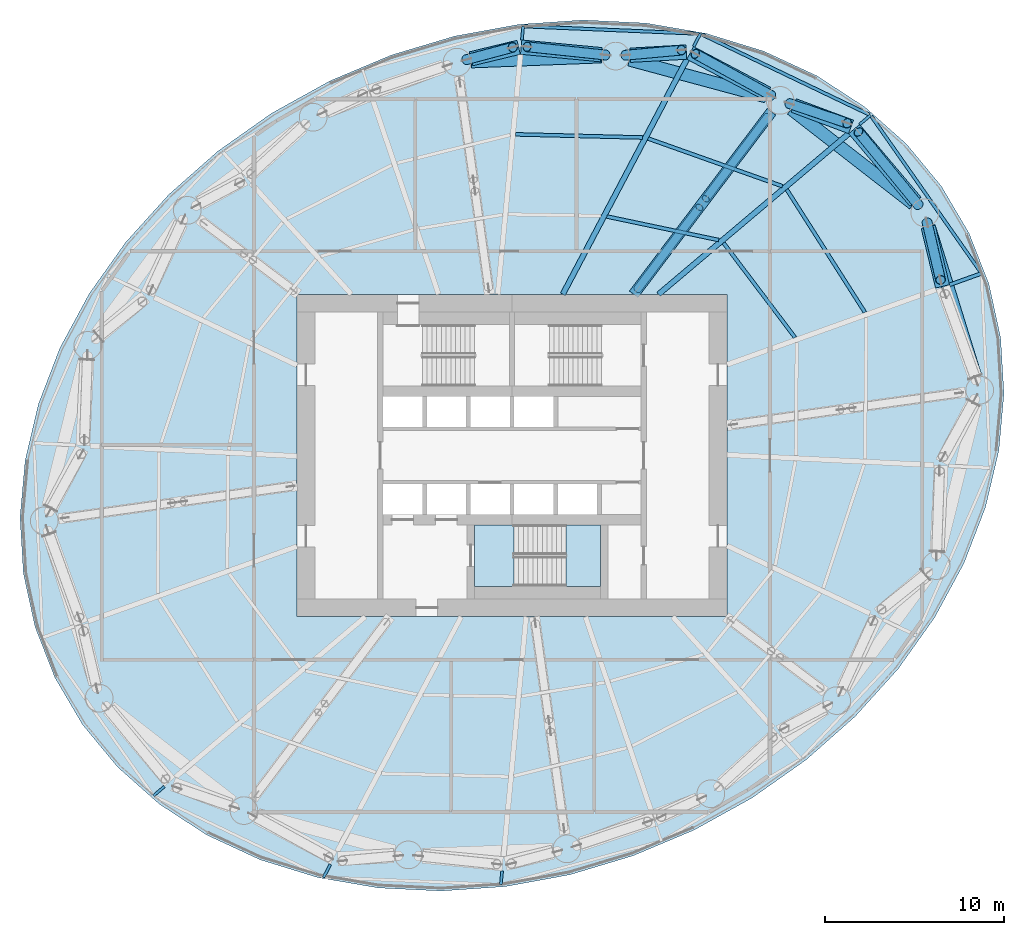
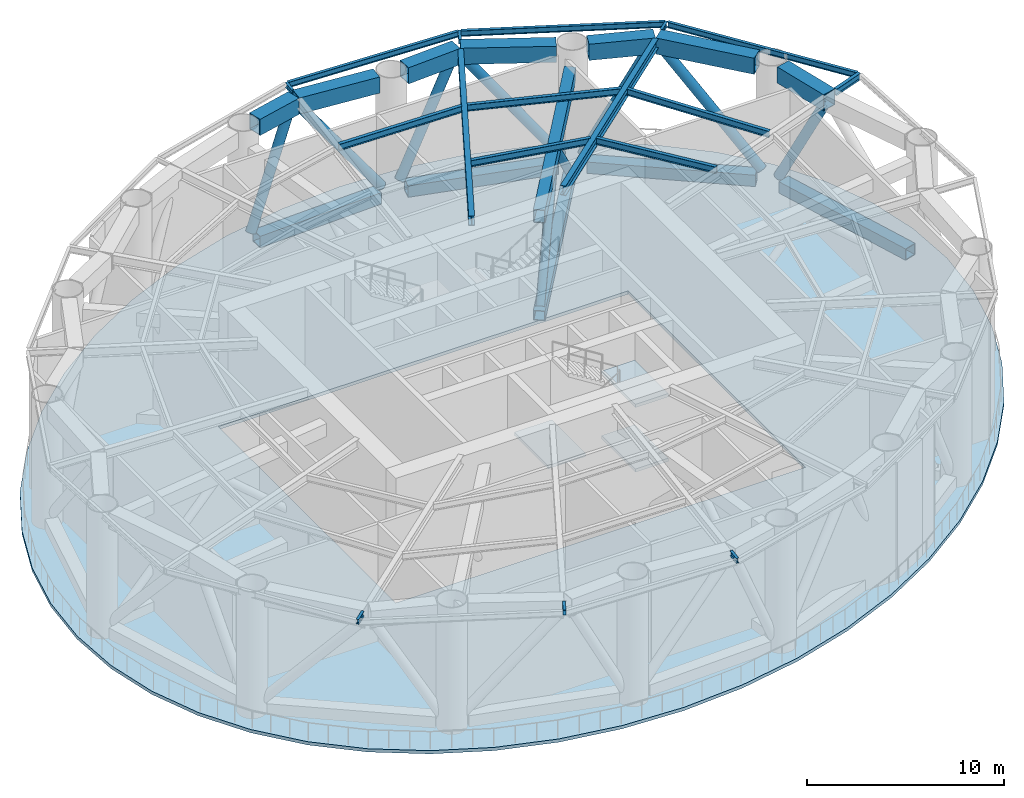
# One storey, part 4 of 15: 22 members, 17 beams, 4 slabs, 1 element without a shape of its own.
"""IFC4 building model written with IfcOpenShell, lengths in metres."""

import ifcopenshell
import ifcopenshell.guid

model = None  # the IFC model being written
_history = None  # IfcOwnerHistory: only IFC2X3 demands one
_inside = {}  # id of a spatial element -> (the spatial element, [elements in it])
_under = {}  # id of a project, library or spatial element -> (it, [spatial elements below it])
_declared = {}  # id of a project -> (the project, [libraries it declares])
_typed = {}  # id of a type object -> (the type object, [elements of that type])
_made_of = {}  # id of a material, layer set ... -> (it, [elements and type objects made of it])


def new_model(schema):
    """Start an empty IFC model of exactly this schema.

    Asked for "IFC4X3", IfcOpenShell would pick the latest addendum, in which some entities
    have other attributes; the version numbers below select the first issue.
    IFC2X3 requires an IfcOwnerHistory on every rooted entity: one is made here for all.
    """
    global model, _history
    if schema == "IFC4X3":
        model = ifcopenshell.file(schema_version=(4, 3, 0, 0))
    else:
        model = ifcopenshell.file(schema=schema)
    _inside.clear()
    _under.clear()
    _declared.clear()
    _typed.clear()
    _made_of.clear()
    _history = None
    if model.schema == "IFC2X3":
        org = make("IfcOrganization", Name="unknown")
        user = make(
            "IfcPersonAndOrganization",
            ThePerson=make("IfcPerson", FamilyName="unknown"),
            TheOrganization=org,
        )
        app = make(
            "IfcApplication",
            ApplicationDeveloper=org,
            Version="unknown",
            ApplicationFullName="unknown",
            ApplicationIdentifier="unknown",
        )
        _history = make(
            "IfcOwnerHistory",
            OwningUser=user,
            OwningApplication=app,
            ChangeAction="ADDED",
            CreationDate=0,
        )
    return model


def make(cls, **values):
    """One entity of the class cls with the attributes given. An attribute that is None is left unset."""
    return model.create_entity(
        cls, **{name: value for name, value in values.items() if value is not None}
    )


def rooted(cls, **values):
    """An entity with a GlobalId (a new one), such as an element, a storey or a relation."""
    return make(cls, GlobalId=ifcopenshell.guid.new(), OwnerHistory=_history, **values)


def si_unit(unit_type, name, prefix=None):
    """IfcSIUnit, for example si_unit("LENGTHUNIT", "METRE", prefix="MILLI")."""
    return make("IfcSIUnit", UnitType=unit_type, Prefix=prefix, Name=name)


def assignment(units):
    """IfcUnitAssignment: the units of a project."""
    return None if units is None else make("IfcUnitAssignment", Units=units)


def point(xyz):
    """IfcCartesianPoint."""
    return None if xyz is None else make("IfcCartesianPoint", Coordinates=xyz)


def direction(xyz):
    """IfcDirection."""
    return None if xyz is None else make("IfcDirection", DirectionRatios=xyz)


def frame(location, z_axis=None, x_axis=None):
    """IfcAxis2Placement3D, a coordinate frame: its origin and axes. An axis left out is left unset."""
    return make(
        "IfcAxis2Placement3D",
        Location=point(location),
        Axis=direction(z_axis),
        RefDirection=direction(x_axis),
    )


def frame_2d(location, x_axis=None):
    """IfcAxis2Placement2D, a coordinate frame in the plane: its origin and x axis."""
    return make(
        "IfcAxis2Placement2D", Location=point(location), RefDirection=direction(x_axis)
    )


def origin():
    """The frame at (0, 0, 0) with its axes left unset."""
    return frame((0.0, 0.0, 0.0))


def origin_2d():
    """The frame at (0, 0) in the plane with its x axis left unset."""
    return frame_2d((0.0, 0.0))


def place(relative_to, where):
    """IfcLocalPlacement: puts the frame where relative to a parent placement (None: the world)."""
    return make(
        "IfcLocalPlacement", PlacementRelTo=relative_to, RelativePlacement=where
    )


def context(
    kind, dimensions, precision=None, world=None, true_north=None, identifier=None
):
    """IfcGeometricRepresentationContext, for example the 3D "Model" context."""
    return make(
        "IfcGeometricRepresentationContext",
        ContextIdentifier=identifier,
        ContextType=kind,
        CoordinateSpaceDimension=dimensions,
        Precision=precision,
        WorldCoordinateSystem=world,
        TrueNorth=true_north,
    )


def subcontext(parent, identifier, kind, view, scale=None):
    """IfcGeometricRepresentationSubContext, for example "Body" below "Model"."""
    return make(
        "IfcGeometricRepresentationSubContext",
        ContextIdentifier=identifier,
        ContextType=kind,
        ParentContext=parent,
        TargetScale=scale,
        TargetView=view,
    )


def project(units=None, contexts=None):
    """IfcProject with its units and contexts."""
    return rooted(
        "IfcProject",
        Name="project",
        RepresentationContexts=contexts,
        UnitsInContext=assignment(units),
    )


def spatial(cls, under=None, at=None, **own):
    """A site, building, storey or space (cls), placed at a placement, below another one or the project."""
    s = rooted(cls, ObjectPlacement=at, **own)
    if under is not None:
        _under.setdefault(under.id(), (under, []))[1].append(s)
    return s


def polyline(points):
    """IfcPolyline through the points."""
    return make("IfcPolyline", Points=[point(p) for p in points])


def profile(cls, at=None, kind="AREA", **sizes):
    """A parametric profile (cls). Its sizes go by their IFC names, for example OverallWidth=200.0."""
    return make(cls, ProfileType=kind, Position=at, **sizes)


def hollow_rectangle(**sizes):
    """IfcRectangleHollowProfileDef."""
    return profile("IfcRectangleHollowProfileDef", **sizes)


def hollow_circle(**sizes):
    """IfcCircleHollowProfileDef."""
    return profile("IfcCircleHollowProfileDef", **sizes)


def i_section(**sizes):
    """IfcIShapeProfileDef."""
    return profile("IfcIShapeProfileDef", **sizes)


def outline(outer, holes=None, kind="AREA"):
    """IfcArbitraryClosedProfileDef: a profile drawn as a closed curve; with holes, ...WithVoids."""
    if holes is None:
        return make("IfcArbitraryClosedProfileDef", ProfileType=kind, OuterCurve=outer)
    return make(
        "IfcArbitraryProfileDefWithVoids",
        ProfileType=kind,
        OuterCurve=outer,
        InnerCurves=holes,
    )


def extrude(swept, where, along, depth):
    """IfcExtrudedAreaSolid: the profile swept, set in the frame where, extruded along a direction by depth."""
    return make(
        "IfcExtrudedAreaSolid",
        SweptArea=swept,
        Position=where,
        ExtrudedDirection=direction(along),
        Depth=depth,
    )


def shape(context_of_items, identifier, shape_type, items):
    """IfcShapeRepresentation: the items that make up one representation, for example the "Body"."""
    return make(
        "IfcShapeRepresentation",
        ContextOfItems=context_of_items,
        RepresentationIdentifier=identifier,
        RepresentationType=shape_type,
        Items=items,
    )


def material(Name=None, Category=None):
    """IfcMaterial."""
    return make("IfcMaterial", Name=Name, Category=Category)


def layer(
    of_material, thickness, ventilated=None, Name=None, Category=None, Priority=None
):
    """IfcMaterialLayer: one layer of a wall or slab, of a material (None: an air gap)."""
    return make(
        "IfcMaterialLayer",
        Material=of_material,
        LayerThickness=thickness,
        IsVentilated=ventilated,
        Name=Name,
        Category=Category,
        Priority=Priority,
    )


def layer_set(layers, Name=None):
    """IfcMaterialLayerSet."""
    return make("IfcMaterialLayerSet", MaterialLayers=layers, LayerSetName=Name)


def material_profile(
    of_material, cross_section, Name=None, Category=None, Priority=None
):
    """IfcMaterialProfile: a cross section and its material."""
    return make(
        "IfcMaterialProfile",
        Name=Name,
        Material=of_material,
        Profile=cross_section,
        Priority=Priority,
        Category=Category,
    )


def profile_set(profiles, Name=None, composite=None):
    """IfcMaterialProfileSet."""
    return make(
        "IfcMaterialProfileSet",
        Name=Name,
        MaterialProfiles=profiles,
        CompositeProfile=composite,
    )


def made_of(thing, what):
    """Note that an element or type object is made of a material, layer set ...; save() writes the relation."""
    if what is not None:
        _made_of.setdefault(what.id(), (what, []))[1].append(thing)
    return thing


def type_object(cls, material=None, **own):
    """A type object (cls), such as IfcWallType, which elements share."""
    return made_of(rooted(cls, **own), material)


def element(
    cls,
    number,
    at=None,
    inside=None,
    cuts=None,
    type_object=None,
    material=None,
    context=None,
    identifier="Body",
    shape_type=None,
    held_by="IfcProductDefinitionShape",
    body=None,
    shapes=None,
    **own,
):
    """One element of the class cls, such as IfcWall. Its Tag is "e" and its number.

    at: its placement. inside: the storey or other place that contains it. cuts: it is an
    opening in that element (IfcRelVoidsElement). A single representation is given by context,
    identifier, shape_type and body (its items); several are given by shapes. held_by: the class
    of the entity that holds the representations. save() writes the other relations.
    """
    e = rooted(cls, Tag="e%d" % number, ObjectPlacement=at, **own)
    if body is not None:
        shapes = [shape(context, identifier, shape_type, body)]
    if shapes is not None:
        e.Representation = make(held_by, Representations=shapes)
    if inside is not None:
        _inside.setdefault(inside.id(), (inside, []))[1].append(e)
    if cuts is not None:
        rooted(
            "IfcRelVoidsElement", RelatingBuildingElement=cuts, RelatedOpeningElement=e
        )
    if type_object is not None:
        _typed.setdefault(type_object.id(), (type_object, []))[1].append(e)
    return made_of(e, material)


def aggregate(whole, parts):
    """IfcRelAggregates: a whole, such as a stair, and the parts it consists of."""
    return rooted("IfcRelAggregates", RelatingObject=whole, RelatedObjects=parts)


def save(model, path):
    """Write the relations noted so far, then the file.

    IfcRelAggregates (storeys below a building ...), IfcRelContainedInSpatialStructure (elements
    in a storey), IfcRelDefinesByType, IfcRelAssociatesMaterial and IfcRelDeclares: one each for
    every whole, place, type object, material and project.
    """
    for whole, parts in _under.values():
        aggregate(whole, parts)
    for where, things in _inside.values():
        rooted(
            "IfcRelContainedInSpatialStructure",
            RelatedElements=things,
            RelatingStructure=where,
        )
    for kind, things in _typed.values():
        rooted("IfcRelDefinesByType", RelatedObjects=things, RelatingType=kind)
    for what, things in _made_of.values():
        rooted("IfcRelAssociatesMaterial", RelatedObjects=things, RelatingMaterial=what)
    for by, libraries in _declared.values():
        rooted("IfcRelDeclares", RelatingContext=by, RelatedDefinitions=libraries)
    model.write(path)


model = new_model("IFC4")

# Units and contexts
model_context = context("Model", 3, precision=1e-05, world=origin(), true_north=direction((0.0, 1.0)))
body_context = subcontext(model_context, "Body", "Model", "MODEL_VIEW")
ifc_project = project(units=[si_unit("LENGTHUNIT", "METRE"), si_unit("AREAUNIT", "SQUARE_METRE"), si_unit("VOLUMEUNIT", "CUBIC_METRE"), si_unit("PLANEANGLEUNIT", "RADIAN"), si_unit("MASSUNIT", "GRAM", prefix="KILO")], contexts=[model_context])

# Site, building, storey
site_placement = place(None, origin())
site = spatial("IfcSite", under=ifc_project, at=site_placement, CompositionType="ELEMENT")
building_placement = place(site_placement, origin())
building = spatial("IfcBuilding", under=site, at=building_placement, Name="Vermilion Reach Broadcast Tower", CompositionType="ELEMENT")
storey_placement = place(building_placement, frame((0.0, 0.0, 135.39990234375)))
storey = spatial("IfcBuildingStorey", under=building, at=storey_placement, Name="L32", CompositionType="ELEMENT", Elevation=135.39990234375)

# Members
ifc_material_1 = material(Name="Steel S460NL", Category="steel")
ifc_material_profile_1 = material_profile(ifc_material_1, hollow_rectangle(XDim=0.699951171875, YDim=0.699951171875, WallThickness=0.034912109375, at=origin_2d()), Name="S460NL BOX 700x700x35")
ifc_profile_set_1 = profile_set([ifc_material_profile_1], Name="Steel S460NL")
member_type_1 = type_object("IfcMemberType", Name="BT2-BC BOX 700x700x35", PredefinedType="CHORD", material=ifc_profile_set_1)
member_1_placement = place(storey_placement, frame((16.41162109375, 14.037109375, 0.35009765625), z_axis=(-0.789825712432, 0.613331349257, 0.0), x_axis=(-0.613331349257, -0.789825712432, 0.0)))
element("IfcMember", 1, at=member_1_placement, inside=storey, type_object=member_type_1, Name="Belt truss bottom chord BT2-BC01", PredefinedType="CHORD", context=body_context, shape_type="SweptSolid", body=[
    extrude(hollow_rectangle(XDim=0.699951171875, YDim=0.699951171875, WallThickness=0.034912109375, at=origin_2d()), origin(), (0.0, 0.0, 1.0), 8.63037109375),
])
member_2_placement = place(storey_placement, frame((8.19091796875, 20.029296875, 0.35009765625), z_axis=(-0.965541463834, 0.260249268234, 0.0), x_axis=(-0.260249268234, -0.965541463834, 0.0)))
element("IfcMember", 2, at=member_2_placement, inside=storey, type_object=member_type_1, Name="Belt truss bottom chord BT2-BC02", PredefinedType="CHORD", context=body_context, shape_type="SweptSolid", body=[
    extrude(hollow_rectangle(XDim=0.699951171875, YDim=0.699951171875, WallThickness=0.034912109375, at=origin_2d()), origin(), (0.0, 0.0, 1.0), 7.904541015625),
])
member_3_placement = place(storey_placement, frame((-1.012939453125, 22.263916015625, 0.35009765625), z_axis=(-0.999268558327, -0.038240663418, 0.0), x_axis=(0.038240663418, -0.999268558327, 0.0)))
element("IfcMember", 3, at=member_3_placement, inside=storey, type_object=member_type_1, Name="Belt truss bottom chord BT2-BC03", PredefinedType="CHORD", context=body_context, shape_type="SweptSolid", body=[
    extrude(hollow_rectangle(XDim=0.699951171875, YDim=0.699951171875, WallThickness=0.034912109375, at=origin_2d()), origin(), (0.0, 0.0, 1.0), 7.259033203125),
])
member_4_placement = place(storey_placement, frame((19.872314453125, 4.410400390625, 0.35009765625), z_axis=(-0.295788439635, 0.95525347368, 0.0), x_axis=(-0.95525347368, -0.295788439635, 0.0)))
element("IfcMember", 4, at=member_4_placement, inside=storey, type_object=member_type_1, Name="Belt truss bottom chord BT2-BC16", PredefinedType="CHORD", context=body_context, shape_type="SweptSolid", body=[
    extrude(hollow_rectangle(XDim=0.699951171875, YDim=0.699951171875, WallThickness=0.034912109375, at=origin_2d()), origin(), (0.0, 0.0, 1.0), 8.763916015625),
])
ifc_material_2 = material(Name="Steel S355J2H", Category="steel")
ifc_material_profile_2 = material_profile(ifc_material_2, hollow_circle(Radius=0.279541015625, WallThickness=0.02490234375, at=origin_2d()), Name="S355J2H CHS 559x25")
ifc_profile_set_2 = profile_set([ifc_material_profile_2], Name="Steel S355J2H")
member_type_2 = type_object("IfcMemberType", Name="BT2-D CHS 559x25", PredefinedType="BRACE", material=ifc_profile_set_2)
member_5_placement = place(storey_placement, frame((16.694580078125, 13.9716796875, 0.800048828125), z_axis=(-0.41774205615, 0.509059441467, 0.752562329363), x_axis=(-0.773034454647, -0.634364037386, 0.0)))
element("IfcMember", 5, at=member_5_placement, inside=storey, type_object=member_type_2, Name="Belt truss diagonal BT2-D01A", PredefinedType="BRACE", context=body_context, shape_type="SweptSolid", body=[
    extrude(hollow_circle(Radius=0.279541015625, WallThickness=0.02490234375, at=origin_2d()), origin(), (0.0, 0.0, 1.0), 8.02587890625),
])
member_6_placement = place(storey_placement, frame((9.484130859375, 19.64404296875, 0.800048828125), z_axis=(0.465176672429, -0.158039664159, 0.870996055089), x_axis=(0.321683041719, 0.946847411503, 0.0)))
element("IfcMember", 6, at=member_6_placement, inside=storey, type_object=member_type_2, Name="Belt truss diagonal BT2-D01B", PredefinedType="BRACE", context=body_context, shape_type="SweptSolid", body=[
    extrude(hollow_circle(Radius=0.279541015625, WallThickness=0.02490234375, at=origin_2d()), origin(), (0.0, 0.0, 1.0), 6.9345703125),
])
member_7_placement = place(storey_placement, frame((8.4814453125, 20.0859375, 0.800048828125), z_axis=(-0.5487089713, 0.301336038926, 0.779817322493), x_axis=(-0.481361981443, -0.876521900937, 0.0)))
element("IfcMember", 7, at=member_7_placement, inside=storey, type_object=member_type_2, Name="Belt truss diagonal BT2-D02A", PredefinedType="BRACE", context=body_context, shape_type="SweptSolid", body=[
    extrude(hollow_circle(Radius=0.279541015625, WallThickness=0.02490234375, at=origin_2d()), origin(), (0.0, 0.0, 1.0), 7.745361328125),
])
member_8_placement = place(storey_placement, frame((0.334228515625, 22.34423828125, 0.800048828125), z_axis=(0.459092274445, 0.041716096193, 0.8874086155), x_axis=(-0.090493651738, 0.995897032326, 0.0)))
element("IfcMember", 8, at=member_8_placement, inside=storey, type_object=member_type_2, Name="Belt truss diagonal BT2-D02B", PredefinedType="BRACE", context=body_context, shape_type="SweptSolid", body=[
    extrude(hollow_circle(Radius=0.279541015625, WallThickness=0.02490234375, at=origin_2d()), origin(), (0.0, 0.0, 1.0), 6.806396484375),
])
member_9_placement = place(storey_placement, frame((-0.760498046875, 22.35205078125, 0.800048828125), z_axis=(-0.587498646373, 0.061867710235, 0.806856695418), x_axis=(-0.104727891343, -0.994500914416, 0.0)))
element("IfcMember", 9, at=member_9_placement, inside=storey, type_object=member_type_2, Name="Belt truss diagonal BT2-D03A", PredefinedType="BRACE", context=body_context, shape_type="SweptSolid", body=[
    extrude(hollow_circle(Radius=0.279541015625, WallThickness=0.02490234375, at=origin_2d()), origin(), (0.0, 0.0, 1.0), 7.48583984375),
])
member_10_placement = place(storey_placement, frame((-8.53466796875, 22.097412109375, 0.800048828125), z_axis=(0.390252706397, 0.104089574428, 0.914804998699), x_axis=(-0.257713933528, 0.966221262685, 0.0)))
element("IfcMember", 10, at=member_10_placement, inside=storey, type_object=member_type_2, Name="Belt truss diagonal BT2-D03B", PredefinedType="BRACE", context=body_context, shape_type="SweptSolid", body=[
    extrude(hollow_circle(Radius=0.279541015625, WallThickness=0.02490234375, at=origin_2d()), origin(), (0.0, 0.0, 1.0), 6.6025390625),
])
member_11_placement = place(storey_placement, frame((17.1689453125, 13.010986328125, 0.800048828125), z_axis=(0.10943309979, -0.466749020107, 0.877593156821), x_axis=(0.973598327327, 0.228268037681, 0.0)))
element("IfcMember", 11, at=member_11_placement, inside=storey, type_object=member_type_2, Name="Belt truss diagonal BT2-D16B", PredefinedType="BRACE", context=body_context, shape_type="SweptSolid", body=[
    extrude(hollow_circle(Radius=0.279541015625, WallThickness=0.02490234375, at=origin_2d()), origin(), (0.0, 0.0, 1.0), 6.882568359375),
])
ifc_material_3 = material(Name="Steel S460NL", Category="steel")
ifc_material_profile_3 = material_profile(ifc_material_3, hollow_rectangle(XDim=0.800048828125, YDim=1.0, WallThickness=0.0400390625, at=origin_2d()), Name="S460NL BOX 800x1000x40")
ifc_profile_set_3 = profile_set([ifc_material_profile_3], Name="Steel S460NL")
member_type_3 = type_object("IfcMemberType", Name="BT2-TC BOX 800x1000x40", PredefinedType="CHORD", material=ifc_profile_set_3)
member_12_placement = place(storey_placement, frame((16.520751953125, 14.165283203125, 7.35009765625), z_axis=(-0.645284064865, 0.763942717506, 0.0), x_axis=(-0.763942717506, -0.645284064865, 0.0)))
element("IfcMember", 12, at=member_12_placement, inside=storey, type_object=member_type_3, Name="Belt truss top chord BT2-TC01", PredefinedType="CHORD", context=body_context, shape_type="SweptSolid", body=[
    extrude(hollow_rectangle(XDim=0.800048828125, YDim=1.0, WallThickness=0.0400390625, at=origin_2d()), origin(), (0.0, 0.0, 1.0), 5.306396484375),
])
member_13_placement = place(storey_placement, frame((12.923095703125, 18.341064453125, 7.35009765625), z_axis=(-0.936695670356, 0.350144571765, 0.0), x_axis=(-0.350144571765, -0.936695670356, 0.0)))
element("IfcMember", 13, at=member_13_placement, inside=storey, type_object=member_type_3, Name="Belt truss top chord BT2-TC02", PredefinedType="CHORD", context=body_context, shape_type="SweptSolid", body=[
    extrude(hollow_rectangle(XDim=0.800048828125, YDim=1.0, WallThickness=0.0400390625, at=origin_2d()), origin(), (0.0, 0.0, 1.0), 3.417236328125),
])
member_14_placement = place(storey_placement, frame((8.2470703125, 20.199462890625, 7.35009765625), z_axis=(-0.884273595464, 0.466969172822, 0.0), x_axis=(-0.466969172822, -0.884273595464, 0.0)))
element("IfcMember", 14, at=member_14_placement, inside=storey, type_object=member_type_3, Name="Belt truss top chord BT2-TC03", PredefinedType="CHORD", context=body_context, shape_type="SweptSolid", body=[
    extrude(hollow_rectangle(XDim=0.800048828125, YDim=1.0, WallThickness=0.0400390625, at=origin_2d()), origin(), (0.0, 0.0, 1.0), 4.86181640625),
])
member_15_placement = place(storey_placement, frame((3.729248046875, 22.517578125, 7.35009765625), z_axis=(-0.998404576922, -0.05646504034, 0.0), x_axis=(0.05646504034, -0.998404576922, 0.0)))
element("IfcMember", 15, at=member_15_placement, inside=storey, type_object=member_type_3, Name="Belt truss top chord BT2-TC04", PredefinedType="CHORD", context=body_context, shape_type="SweptSolid", body=[
    extrude(hollow_rectangle(XDim=0.800048828125, YDim=1.0, WallThickness=0.0400390625, at=origin_2d()), origin(), (0.0, 0.0, 1.0), 3.13916015625),
])
member_16_placement = place(storey_placement, frame((-1.019775390625, 22.370849609375, 7.35009765625), z_axis=(-0.995559801477, 0.094131193997, 0.0), x_axis=(-0.094131193997, -0.995559801477, 0.0)))
element("IfcMember", 16, at=member_16_placement, inside=storey, type_object=member_type_3, Name="Belt truss top chord BT2-TC05", PredefinedType="CHORD", context=body_context, shape_type="SweptSolid", body=[
    extrude(hollow_rectangle(XDim=0.800048828125, YDim=1.0, WallThickness=0.0400390625, at=origin_2d()), origin(), (0.0, 0.0, 1.0), 4.487060546875),
])
member_17_placement = place(storey_placement, frame((-5.6279296875, 22.783203125, 7.35009765625), z_axis=(-0.972238352114, -0.233992706464, 0.0), x_axis=(0.233992706464, -0.972238352114, 0.0)))
element("IfcMember", 17, at=member_17_placement, inside=storey, type_object=member_type_3, Name="Belt truss top chord BT2-TC06", PredefinedType="CHORD", context=body_context, shape_type="SweptSolid", body=[
    extrude(hollow_rectangle(XDim=0.800048828125, YDim=1.0, WallThickness=0.0400390625, at=origin_2d()), origin(), (0.0, 0.0, 1.0), 2.726318359375),
])
member_18_placement = place(storey_placement, frame((18.0341796875, 9.442138671875, 7.35009765625), z_axis=(-0.234666176524, 0.972076018424, 0.0), x_axis=(-0.972076018424, -0.234666176524, 0.0)))
element("IfcMember", 18, at=member_18_placement, inside=storey, type_object=member_type_3, Name="Belt truss top chord BT2-TC32", PredefinedType="CHORD", context=body_context, shape_type="SweptSolid", body=[
    extrude(hollow_rectangle(XDim=0.800048828125, YDim=1.0, WallThickness=0.0400390625, at=origin_2d()), origin(), (0.0, 0.0, 1.0), 3.412353515625),
])

# Beams
ifc_material_4 = material(Name="Steel S355J2", Category="steel")
ifc_material_profile_4 = material_profile(ifc_material_4, i_section(OverallWidth=0.175048828125, OverallDepth=0.35009765625, WebThickness=0.007080078125, FlangeThickness=0.010986328125, at=origin_2d()), Name="S355J2 HN 350x175x7x11")
ifc_profile_set_4 = profile_set([ifc_material_profile_4], Name="Steel S355J2")
beam_type_1 = type_object("IfcBeamType", Name="EB3 HN 350x175x7x11", PredefinedType="BEAM", material=ifc_profile_set_4)
beam_1_placement = place(storey_placement, frame((13.9404296875, 19.030029296875, 7.675048828125), z_axis=(-0.901952956163, 0.431834302562, 0.0), x_axis=(-0.431834302562, -0.901952956163, 0.0)))
element("IfcBeam", 19, at=beam_1_placement, inside=storey, type_object=beam_type_1, Name="Edge beam EB3-01", PredefinedType="BEAM", context=body_context, shape_type="SweptSolid", body=[
    extrude(i_section(OverallWidth=0.175048828125, OverallDepth=0.35009765625, WebThickness=0.007080078125, FlangeThickness=0.010986328125, at=origin_2d()), origin(), (0.0, 0.0, 1.0), 10.37548828125),
])
beam_2_placement = place(storey_placement, frame((4.431640625, 23.54638671875, 7.675048828125), z_axis=(-0.999118549343, 0.04197766499, 0.0), x_axis=(-0.04197766499, -0.999118549343, 0.0)))
element("IfcBeam", 20, at=beam_2_placement, inside=storey, type_object=beam_type_1, Name="Edge beam EB3-02", PredefinedType="BEAM", context=body_context, shape_type="SweptSolid", body=[
    extrude(i_section(OverallWidth=0.175048828125, OverallDepth=0.35009765625, WebThickness=0.007080078125, FlangeThickness=0.010986328125, at=origin_2d()), origin(), (0.0, 0.0, 1.0), 9.74169921875),
])
beam_3_placement = place(storey_placement, frame((20.1494140625, 10.25048828125, 7.675048828125), z_axis=(-0.574341052749, 0.818616121956, 0.0), x_axis=(-0.818616121956, -0.574341052749, 0.0)))
element("IfcBeam", 21, at=beam_3_placement, inside=storey, type_object=beam_type_1, Name="Edge beam EB3-16", PredefinedType="BEAM", context=body_context, shape_type="SweptSolid", body=[
    extrude(i_section(OverallWidth=0.175048828125, OverallDepth=0.35009765625, WebThickness=0.007080078125, FlangeThickness=0.010986328125, at=origin_2d()), origin(), (0.0, 0.0, 1.0), 10.606201171875),
])
ifc_material_5 = material(Name="Steel S355J2", Category="steel")
ifc_material_profile_5 = material_profile(ifc_material_5, i_section(OverallWidth=0.300048828125, OverallDepth=0.587890625, WebThickness=0.011962890625, FlangeThickness=0.02001953125, at=origin_2d()), Name="S355J2 HM 588x300x12x20")
ifc_profile_set_5 = profile_set([ifc_material_profile_5], Name="Steel S355J2")
beam_type_2 = type_object("IfcBeamType", Name="G3 HM 588x300x12x20", PredefinedType="BEAM", material=ifc_profile_set_5)
beam_4_placement = place(storey_placement, frame((2.182861328125, 9.0, 7.55615234375), z_axis=(0.763934189826, 0.64529416053, 0.0), x_axis=(-0.64529416053, 0.763934189826, 0.0)))
element("IfcBeam", 22, at=beam_4_placement, inside=storey, type_object=beam_type_2, Name="Girder G3-01", PredefinedType="BEAM", context=body_context, shape_type="SweptSolid", body=[
    extrude(i_section(OverallWidth=0.300048828125, OverallDepth=0.587890625, WebThickness=0.011962890625, FlangeThickness=0.02001953125, at=origin_2d()), origin(), (0.0, 0.0, 1.0), 13.88623046875),
])
beam_5_placement = place(storey_placement, frame((-3.16552734375, 9.0, 7.55615234375), z_axis=(0.466986035852, 0.884264690191, 0.0), x_axis=(-0.884264690191, 0.466986035852, 0.0)))
element("IfcBeam", 23, at=beam_5_placement, inside=storey, type_object=beam_type_2, Name="Girder G3-02", PredefinedType="BEAM", context=body_context, shape_type="SweptSolid", body=[
    extrude(i_section(OverallWidth=0.300048828125, OverallDepth=0.587890625, WebThickness=0.011962890625, FlangeThickness=0.02001953125, at=origin_2d()), origin(), (0.0, 0.0, 1.0), 14.8330078125),
])
ifc_material_6 = material(Name="Steel S355J2", Category="steel")
ifc_material_profile_6 = material_profile(ifc_material_6, i_section(OverallWidth=0.199951171875, OverallDepth=0.39990234375, WebThickness=0.008056640625, FlangeThickness=0.012939453125, at=origin_2d()), Name="S355J2 HN 400x200x8x13")
ifc_profile_set_6 = profile_set([ifc_material_profile_6], Name="Steel S355J2")
beam_type_3 = type_object("IfcBeamType", Name="GC3 HN 400x200x8x13", PredefinedType="BEAM", material=ifc_profile_set_6)
beam_6_placement = place(storey_placement, frame((18.426025390625, 9.526611328125, 7.650146484375), z_axis=(0.941382662471, 0.337340603545, 0.0), x_axis=(-0.337340603545, 0.941382662471, 0.0)))
element("IfcBeam", 24, at=beam_6_placement, inside=storey, type_object=beam_type_3, Name="Cantilever girder GC3-16", PredefinedType="BEAM", context=body_context, shape_type="SweptSolid", body=[
    extrude(i_section(OverallWidth=0.199951171875, OverallDepth=0.39990234375, WebThickness=0.008056640625, FlangeThickness=0.012939453125, at=origin_2d()), origin(), (0.0, 0.0, 1.0), 1.89404296875),
])
ifc_material_7 = material(Name="Steel S355J2", Category="steel")
ifc_material_profile_7 = material_profile(ifc_material_7, i_section(OverallWidth=0.14990234375, OverallDepth=0.300048828125, WebThickness=0.006591796875, FlangeThickness=0.009033203125, at=origin_2d()), Name="S355J2 HN 300x150x6.5x9")
ifc_profile_set_7 = profile_set([ifc_material_profile_7], Name="Steel S355J2")
beam_type_4 = type_object("IfcBeamType", Name="GS3 HN 300x150x6.5x9", PredefinedType="BEAM", material=ifc_profile_set_7)
beam_7_placement = place(storey_placement, frame((13.402099609375, 18.47705078125, 7.7001953125), z_axis=(0.763986552281, 0.645232165916, 0.0), x_axis=(-0.645232165916, 0.763986552281, 0.0)))
element("IfcBeam", 25, at=beam_7_placement, inside=storey, type_object=beam_type_4, Name="Cantilever stub GS3-01", PredefinedType="BEAM", context=body_context, shape_type="SweptSolid", body=[
    extrude(i_section(OverallWidth=0.14990234375, OverallDepth=0.300048828125, WebThickness=0.006591796875, FlangeThickness=0.009033203125, at=origin_2d()), origin(), (0.0, 0.0, 1.0), 0.8017578125),
])
beam_8_placement = place(storey_placement, frame((4.134765625, 22.823486328125, 7.7001953125), z_axis=(0.466908557187, 0.884305602847, 0.0), x_axis=(-0.884305602847, 0.466908557187, 0.0)))
element("IfcBeam", 26, at=beam_8_placement, inside=storey, type_object=beam_type_4, Name="Cantilever stub GS3-02", PredefinedType="BEAM", context=body_context, shape_type="SweptSolid", body=[
    extrude(i_section(OverallWidth=0.14990234375, OverallDepth=0.300048828125, WebThickness=0.006591796875, FlangeThickness=0.009033203125, at=origin_2d()), origin(), (0.0, 0.0, 1.0), 0.813720703125),
])
beam_9_placement = place(storey_placement, frame((-5.44921875, 23.19140625, 7.7001953125), z_axis=(0.094135984246, 0.995559348542, 0.0), x_axis=(-0.995559348542, 0.094135984246, 0.0)))
element("IfcBeam", 27, at=beam_9_placement, inside=storey, type_object=beam_type_4, Name="Cantilever stub GS3-03", PredefinedType="BEAM", context=body_context, shape_type="SweptSolid", body=[
    extrude(i_section(OverallWidth=0.14990234375, OverallDepth=0.300048828125, WebThickness=0.006591796875, FlangeThickness=0.009033203125, at=origin_2d()), origin(), (0.0, 0.0, 1.0), 0.770263671875),
])
beam_10_placement = place(storey_placement, frame((-25.402099609375, -18.47705078125, 7.7001953125), z_axis=(-0.763986552281, -0.645232165916, 0.0), x_axis=(0.645232165916, -0.763986552281, 0.0)))
element("IfcBeam", 28, at=beam_10_placement, inside=storey, type_object=beam_type_4, Name="Cantilever stub GS3-09", PredefinedType="BEAM", context=body_context, shape_type="SweptSolid", body=[
    extrude(i_section(OverallWidth=0.14990234375, OverallDepth=0.300048828125, WebThickness=0.006591796875, FlangeThickness=0.009033203125, at=origin_2d()), origin(), (0.0, 0.0, 1.0), 0.8017578125),
])
beam_11_placement = place(storey_placement, frame((-16.134765625, -22.823486328125, 7.7001953125), z_axis=(-0.466908557187, -0.884305602847, 0.0), x_axis=(0.884305602847, -0.466908557187, 0.0)))
element("IfcBeam", 29, at=beam_11_placement, inside=storey, type_object=beam_type_4, Name="Cantilever stub GS3-10", PredefinedType="BEAM", context=body_context, shape_type="SweptSolid", body=[
    extrude(i_section(OverallWidth=0.14990234375, OverallDepth=0.300048828125, WebThickness=0.006591796875, FlangeThickness=0.009033203125, at=origin_2d()), origin(), (0.0, 0.0, 1.0), 0.813720703125),
])
beam_12_placement = place(storey_placement, frame((-6.55078125, -23.19140625, 7.7001953125), z_axis=(-0.094135984246, -0.995559348542, 0.0), x_axis=(0.995559348542, -0.094135984246, 0.0)))
element("IfcBeam", 30, at=beam_12_placement, inside=storey, type_object=beam_type_4, Name="Cantilever stub GS3-11", PredefinedType="BEAM", context=body_context, shape_type="SweptSolid", body=[
    extrude(i_section(OverallWidth=0.14990234375, OverallDepth=0.300048828125, WebThickness=0.006591796875, FlangeThickness=0.009033203125, at=origin_2d()), origin(), (0.0, 0.0, 1.0), 0.770263671875),
])

# Members
ifc_material_8 = material(Name="Steel S460NL", Category="steel")
ifc_material_profile_8 = material_profile(ifc_material_8, hollow_rectangle(XDim=0.60009765625, YDim=0.60009765625, WallThickness=0.030029296875, at=origin_2d()), Name="S460NL BOX 600x600x30")
ifc_profile_set_8 = profile_set([ifc_material_profile_8], Name="Steel S460NL")
member_type_4 = type_object("IfcMemberType", Name="OR2-BC BOX 600x600x30", PredefinedType="CHORD", material=ifc_profile_set_8)
member_19_placement = place(storey_placement, frame((0.794189453125, 9.0, 0.300048828125), z_axis=(0.602519842365, 0.798103902733, 0.0), x_axis=(-0.798103902733, 0.602519842365, 0.0)))
element("IfcMember", 31, at=member_19_placement, inside=storey, type_object=member_type_4, Name="Outrigger bottom chord OR2-02", PredefinedType="CHORD", context=body_context, shape_type="SweptSolid", body=[
    extrude(hollow_rectangle(XDim=0.60009765625, YDim=0.60009765625, WallThickness=0.030029296875, at=origin_2d()), origin(), (0.0, 0.0, 1.0), 12.758544921875),
])
ifc_material_9 = material(Name="Steel S355J2H", Category="steel")
ifc_material_profile_9 = material_profile(ifc_material_9, hollow_circle(Radius=0.228515625, WallThickness=0.02001953125, at=origin_2d()), Name="S355J2H CHS 457x20")
ifc_profile_set_9 = profile_set([ifc_material_profile_9], Name="Steel S355J2H")
member_type_5 = type_object("IfcMemberType", Name="OR2-D CHS 457x20", PredefinedType="BRACE", material=ifc_profile_set_9)
for number, where, z_axis, x_axis, name in (
    (32, (1.005126953125, 9.279296875, 0.60009765625), (0.436546298871, 0.578264066168, 0.689230004222), (-0.798109116035, 0.602512936709, 0.0), "Outrigger diagonal OR2-02-DA"),
    (33, (8.2705078125, 18.9033203125, 0.60009765625), (-0.436546298871, -0.578264066168, 0.689230004222), (0.798109116035, -0.602512936709, 0.0), "Outrigger diagonal OR2-02-DB"),
):
    element("IfcMember", number, at=place(storey_placement, frame(where, z_axis=z_axis, x_axis=x_axis)), inside=storey, type_object=member_type_5, Name=name, PredefinedType="BRACE", context=body_context, shape_type="SweptSolid", body=[
        extrude(hollow_circle(Radius=0.228515625, WallThickness=0.02001953125, at=origin_2d()), origin(), (0.0, 0.0, 1.0), 7.9072265625),
    ])
ifc_material_10 = material(Name="Steel S460NL", Category="steel")
ifc_material_profile_10 = material_profile(ifc_material_10, hollow_rectangle(XDim=0.60009765625, YDim=0.800048828125, WallThickness=0.030029296875, at=origin_2d()), Name="S460NL BOX 600x800x30")
ifc_profile_set_10 = profile_set([ifc_material_profile_10], Name="Steel S460NL")
member_type_6 = type_object("IfcMemberType", Name="OR2-TC BOX 600x800x30", PredefinedType="CHORD", material=ifc_profile_set_10)
member_20_placement = place(storey_placement, frame((0.794189453125, 9.0, 6.4501953125), z_axis=(0.602519842365, 0.798103902733, 0.0), x_axis=(-0.798103902733, 0.602519842365, 0.0)))
element("IfcMember", 34, at=member_20_placement, inside=storey, type_object=member_type_6, Name="Outrigger top chord OR2-02", PredefinedType="CHORD", context=body_context, shape_type="SweptSolid", body=[
    extrude(hollow_rectangle(XDim=0.60009765625, YDim=0.800048828125, WallThickness=0.030029296875, at=origin_2d()), origin(), (0.0, 0.0, 1.0), 12.758544921875),
])

# Beams
ifc_material_11 = material(Name="Steel S355J2", Category="steel")
ifc_material_profile_11 = material_profile(ifc_material_11, i_section(OverallWidth=0.199951171875, OverallDepth=0.39990234375, WebThickness=0.008056640625, FlangeThickness=0.012939453125, at=origin_2d()), Name="S355J2 HN 400x200x8x13")
ifc_profile_set_11 = profile_set([ifc_material_profile_11], Name="Steel S355J2")
beam_type_5 = type_object("IfcBeamType", Name="SB3 HN 400x200x8x13", PredefinedType="BEAM", material=ifc_profile_set_11)
beam_13_placement = place(storey_placement, frame((5.532958984375, 12.026123046875, 7.650146484375), z_axis=(-0.978529053694, 0.206108930126, 0.0), x_axis=(-0.206108930126, -0.978529053694, 0.0)))
element("IfcBeam", 35, at=beam_13_placement, inside=storey, type_object=beam_type_5, Name="Secondary beam SB3-01-1", PredefinedType="BEAM", context=body_context, shape_type="SweptSolid", body=[
    extrude(i_section(OverallWidth=0.199951171875, OverallDepth=0.39990234375, WebThickness=0.008056640625, FlangeThickness=0.012939453125, at=origin_2d()), origin(), (0.0, 0.0, 1.0), 6.3740234375),
])
beam_14_placement = place(storey_placement, frame((9.09130859375, 15.031982421875, 7.650146484375), z_axis=(-0.942369382159, 0.334574278104, 0.0), x_axis=(-0.334574278104, -0.942369382159, 0.0)))
element("IfcBeam", 36, at=beam_14_placement, inside=storey, type_object=beam_type_5, Name="Secondary beam SB3-01-2", PredefinedType="BEAM", context=body_context, shape_type="SweptSolid", body=[
    extrude(i_section(OverallWidth=0.199951171875, OverallDepth=0.39990234375, WebThickness=0.008056640625, FlangeThickness=0.012939453125, at=origin_2d()), origin(), (0.0, 0.0, 1.0), 7.95458984375),
])
beam_15_placement = place(storey_placement, frame((1.284912109375, 17.748291015625, 7.650146484375), z_axis=(-0.999684300696, 0.025125662996, 0.0), x_axis=(-0.025125662996, -0.999684300696, 0.0)))
element("IfcBeam", 37, at=beam_15_placement, inside=storey, type_object=beam_type_5, Name="Secondary beam SB3-02-2", PredefinedType="BEAM", context=body_context, shape_type="SweptSolid", body=[
    extrude(i_section(OverallWidth=0.199951171875, OverallDepth=0.39990234375, WebThickness=0.008056640625, FlangeThickness=0.012939453125, at=origin_2d()), origin(), (0.0, 0.0, 1.0), 7.08349609375),
])
beam_16_placement = place(storey_placement, frame((9.796142578125, 6.592529296875, 7.650146484375), z_axis=(-0.602955838021, 0.797774565524, 0.0), x_axis=(-0.797774565524, -0.602955838021, 0.0)))
element("IfcBeam", 38, at=beam_16_placement, inside=storey, type_object=beam_type_5, Name="Secondary beam SB3-16-1", PredefinedType="BEAM", context=body_context, shape_type="SweptSolid", body=[
    extrude(i_section(OverallWidth=0.199951171875, OverallDepth=0.39990234375, WebThickness=0.008056640625, FlangeThickness=0.012939453125, at=origin_2d()), origin(), (0.0, 0.0, 1.0), 6.61181640625),
])
beam_17_placement = place(storey_placement, frame((13.69921875, 7.99169921875, 7.650146484375), z_axis=(-0.53694937171, 0.843614468949, 0.0), x_axis=(-0.843614468949, -0.53694937171, 0.0)))
element("IfcBeam", 39, at=beam_17_placement, inside=storey, type_object=beam_type_5, Name="Secondary beam SB3-16-2", PredefinedType="BEAM", context=body_context, shape_type="SweptSolid", body=[
    extrude(i_section(OverallWidth=0.199951171875, OverallDepth=0.39990234375, WebThickness=0.008056640625, FlangeThickness=0.012939453125, at=origin_2d()), origin(), (0.0, 0.0, 1.0), 8.125244140625),
])

# Stair, slabs
ifc_material_12 = material(Name="Concrete C40", Category="concrete")
stair_type = type_object("IfcStairType", Name="Exit stair RC 48 risers 167 mm", PredefinedType="HALF_TURN_STAIR", material=ifc_material_12)
stair_placement = place(storey_placement, origin())
stair = element("IfcStair", 40, at=stair_placement, inside=storey, type_object=stair_type, Name="L32 Exit stair ST3", PredefinedType="HALF_TURN_STAIR")
ifc_material_13 = material(Name="Concrete C40", Category="concrete")
ifc_layer_1 = layer(ifc_material_13, 0.199951171875)
ifc_layer_set_1 = layer_set([ifc_layer_1], Name="Exit stair landing Concrete C40")
slab_type_1 = type_object("IfcSlabType", Name="Exit stair landing Concrete C40", PredefinedType="LANDING", material=ifc_layer_set_1)
slab_1_placement = place(storey_placement, frame((0.0, 0.0, 1.800048828125)))
slab_1 = element("IfcSlab", 41, at=slab_1_placement, type_object=slab_type_1, Name="ST3 landing 1", PredefinedType="LANDING", context=body_context, shape_type="SweptSolid", body=[
    extrude(outline(polyline([(-2.985107421875, -7.300048828125), (-1.050048828125, -7.300048828125), (-1.050048828125, -3.8798828125), (-2.985107421875, -3.8798828125), (-2.985107421875, -7.300048828125)])), origin(), (0.0, 0.0, 1.0), 0.199951171875),
])
slab_2_placement = place(storey_placement, frame((0.0, 0.0, 3.800048828125)))
slab_2 = element("IfcSlab", 42, at=slab_2_placement, type_object=slab_type_1, Name="ST3 landing 2", PredefinedType="LANDING", context=body_context, shape_type="SweptSolid", body=[
    extrude(outline(polyline([(-8.10009765625, -7.300048828125), (-5.89990234375, -7.300048828125), (-5.89990234375, -3.8798828125), (-8.10009765625, -3.8798828125), (-8.10009765625, -7.300048828125)])), origin(), (0.0, 0.0, 1.0), 0.199951171875),
])
slab_3_placement = place(storey_placement, frame((0.0, 0.0, 5.800048828125)))
slab_3 = element("IfcSlab", 43, at=slab_3_placement, type_object=slab_type_1, Name="ST3 landing 3", PredefinedType="LANDING", context=body_context, shape_type="SweptSolid", body=[
    extrude(outline(polyline([(-2.985107421875, -7.300048828125), (-1.050048828125, -7.300048828125), (-1.050048828125, -3.8798828125), (-2.985107421875, -3.8798828125), (-2.985107421875, -7.300048828125)])), origin(), (0.0, 0.0, 1.0), 0.199951171875),
])
aggregate(stair, [slab_1, slab_2, slab_3])

# Slab
ifc_material_14 = material(Name="Concrete C40", Category="concrete")
ifc_layer_2 = layer(ifc_material_14, 0.199951171875)
ifc_layer_set_2 = layer_set([ifc_layer_2], Name="Floor slab Concrete C40 200")
slab_type_2 = type_object("IfcSlabType", Name="Floor slab Concrete C40 200", PredefinedType="FLOOR", material=ifc_layer_set_2)
slab_4_placement = place(storey_placement, frame((0.0, 0.0, -0.199951171875)))
element("IfcSlab", 44, at=slab_4_placement, inside=storey, type_object=slab_type_2, Name="Floor slab L32", PredefinedType="FLOOR", context=body_context, shape_type="SweptSolid", body=[
    extrude(outline(polyline([(19.5166015625, 12.401123046875), (17.971923828125, 15.0244140625), (16.01708984375, 17.390380859375), (13.685546875, 19.458984375), (11.01708984375, 21.194580078125), (8.057373046875, 22.5673828125), (4.857177734375, 23.55419921875), (1.471435546875, 24.137939453125), (-2.042236328125, 24.308837890625), (-5.623779296875, 24.0634765625), (-9.211669921875, 23.40673828125), (-12.74462890625, 22.349365234375), (-16.162109375, 20.909423828125), (-19.40576171875, 19.11181640625), (-22.420166015625, 16.9873046875), (-25.1533203125, 14.572021484375), (-27.55908203125, 11.907470703125), (-29.595703125, 9.039306640625), (-31.228759765625, 6.016357421875), (-32.429931640625, 2.890380859375), (-33.17919921875, -0.28515625), (-33.463134765625, -3.45556640625), (-33.27734375, -6.56689453125), (-32.624755859375, -9.56591796875), (-31.5166015625, -12.401123046875), (-29.971923828125, -15.0244140625), (-28.01708984375, -17.390380859375), (-25.685546875, -19.458984375), (-23.01708984375, -21.194580078125), (-20.057373046875, -22.5673828125), (-16.857177734375, -23.55419921875), (-13.471435546875, -24.137939453125), (-9.957763671875, -24.308837890625), (-6.376220703125, -24.0634765625), (-2.788330078125, -23.40673828125), (0.74462890625, -22.349365234375), (4.162109375, -20.909423828125), (7.40576171875, -19.11181640625), (10.420166015625, -16.9873046875), (13.1533203125, -14.572021484375), (15.55908203125, -11.907470703125), (17.595703125, -9.039306640625), (19.228759765625, -6.016357421875), (20.429931640625, -2.890380859375), (21.17919921875, 0.28515625), (21.463134765625, 3.45556640625), (21.27734375, 6.56689453125), (20.624755859375, 9.56591796875), (19.5166015625, 12.401123046875)]), holes=[polyline([(-18.0, -9.0), (6.0, -9.0), (6.0, 9.0), (-18.0, 9.0), (-18.0, -9.0)])]), origin(), (0.0, 0.0, 1.0), 0.199951171875),
])

save(model, "model.ifc")
